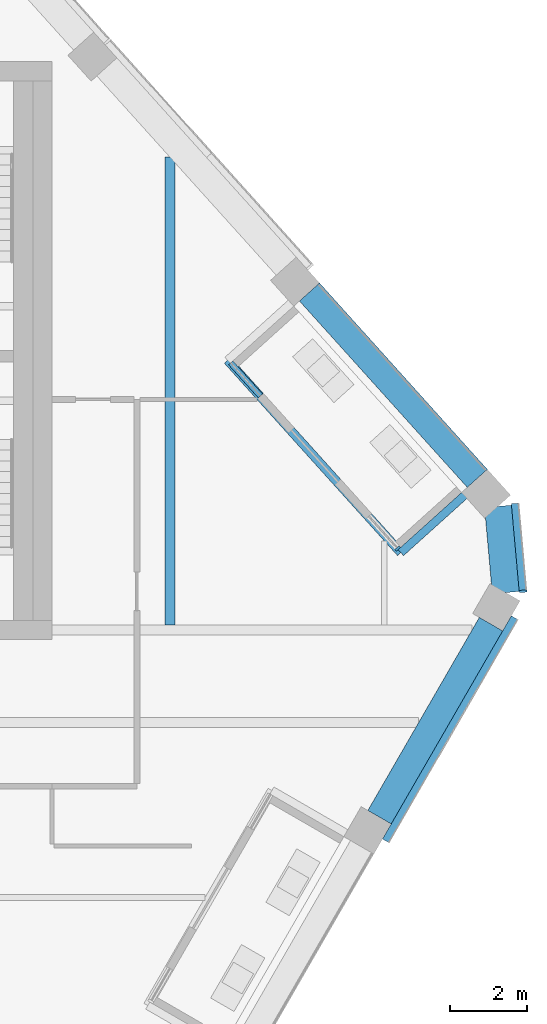
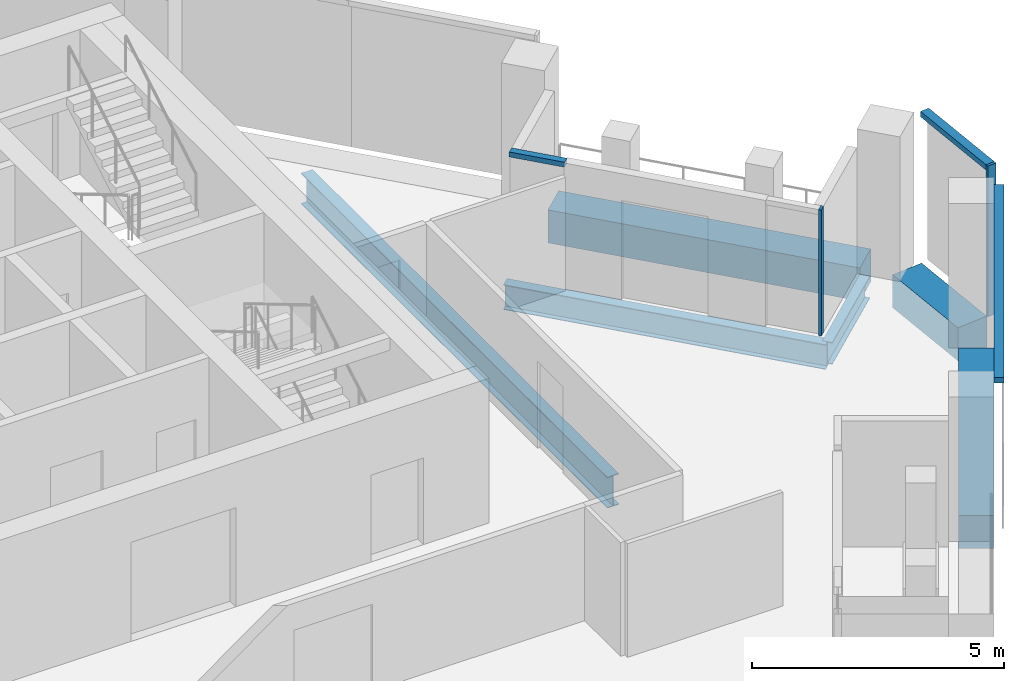
# One storey, part 6 of 20: 6 beams, 5 members, 3 elements without a shape of their own.
"""IFC4 building model written with IfcOpenShell, lengths in metres."""

from ifc_helpers import new_model, si_unit, direction, frame, origin, origin_2d, place, context, subcontext, project, spatial, rectangle, i_section, extrude, material, layer, layer_set, material_profile, profile_set, type_object, element, aggregate, save


model = new_model("IFC4")

# Units and contexts
model_context = context("Model", 3, precision=1e-05, world=origin(), true_north=direction((0.0, 1.0)))
body_context = subcontext(model_context, "Body", "Model", "MODEL_VIEW")
ifc_project = project(units=[si_unit("LENGTHUNIT", "METRE"), si_unit("AREAUNIT", "SQUARE_METRE"), si_unit("VOLUMEUNIT", "CUBIC_METRE"), si_unit("PLANEANGLEUNIT", "RADIAN"), si_unit("MASSUNIT", "GRAM", prefix="KILO")], contexts=[model_context])

# Site, building, storey
site_placement = place(None, origin())
site = spatial("IfcSite", under=ifc_project, at=site_placement, CompositionType="ELEMENT")
building_placement = place(site_placement, origin())
building = spatial("IfcBuilding", under=site, at=building_placement, Name="Isthmus Gate Tower", CompositionType="ELEMENT")
storey_placement = place(building_placement, frame((0.0, 0.0, 279.199951171875)))
storey = spatial("IfcBuildingStorey", under=building, at=storey_placement, Name="L71", CompositionType="ELEMENT", Elevation=279.199951171875)

# Curtain wall, member
ifc_material_1 = material(Name="Aluminium, pale champagne anodised", Category="aluminium")
ifc_layer_1 = layer(ifc_material_1, 0.199951171875)
ifc_layer_set_1 = layer_set([ifc_layer_1], Name="CW-1 UNITISED CURTAIN WALL 200 DEEP")
curtain_wall_type_1 = type_object("IfcCurtainWallType", Name="CW-1 UNITISED CURTAIN WALL 200 DEEP", PredefinedType="NOTDEFINED", material=ifc_layer_set_1)
curtain_wall_1_placement = place(storey_placement, origin())
curtain_wall_1 = element("IfcCurtainWall", 1, at=curtain_wall_1_placement, inside=storey, type_object=curtain_wall_type_1, Name="CW-1 SE-NE L71", PredefinedType="NOTDEFINED")
ifc_material_2 = material(Name="Aluminium, pale champagne anodised", Category="aluminium")
ifc_material_profile_1 = material_profile(ifc_material_2, rectangle(XDim=0.06005859375, YDim=0.199951171875, at=origin_2d()), Name="60x200")
ifc_profile_set_1 = profile_set([ifc_material_profile_1], Name="Aluminium, pale champagne anodised")
member_type_1 = type_object("IfcMemberType", Name="CW-1 MULLION 60 X 200", PredefinedType="MULLION", material=ifc_profile_set_1)
member_1_placement = place(storey_placement, frame((27.21875, 1.258056640625, 0.0), z_axis=(0.0, 0.0, 1.0), x_axis=(-0.089396669717, 0.995996102123, 0.0)))
member_1 = element("IfcMember", 2, at=member_1_placement, type_object=member_type_1, Name="CW-1 mullion", PredefinedType="MULLION", context=body_context, shape_type="SweptSolid", body=[
    extrude(rectangle(XDim=0.06005859375, YDim=0.199951171875, at=origin_2d()), origin(), (0.0, 0.0, 1.0), 3.650146484375),
])

curtain_wall_2_placement = place(storey_placement, origin())
curtain_wall_2 = element("IfcCurtainWall", 3, at=curtain_wall_2_placement, inside=storey, type_object=curtain_wall_type_1, Name="CW-1 SE L71", PredefinedType="NOTDEFINED")
ifc_material_3 = material(Name="Aluminium, pale champagne anodised", Category="aluminium")
ifc_material_profile_2 = material_profile(ifc_material_3, rectangle(XDim=0.199951171875, YDim=0.1298828125, at=origin_2d()), Name="200x130")
ifc_profile_set_2 = profile_set([ifc_material_profile_2], Name="Aluminium, pale champagne anodised")
member_type_2 = type_object("IfcMemberType", Name="CW-1 TRANSOM 200 X 130", PredefinedType="USERDEFINED", material=ifc_profile_set_2)
member_2_placement = place(storey_placement, frame((23.659912109375, -5.2197265625, 3.5849609375), z_axis=(0.499996450449, 0.866027453109, 0.0), x_axis=(-0.866027453109, 0.499996450449, 0.0)))
member_2 = element("IfcMember", 4, at=member_2_placement, type_object=member_type_2, Name="CW-1 transom", ObjectType="TRANSOM", PredefinedType="USERDEFINED", context=body_context, shape_type="SweptSolid", body=[
    extrude(rectangle(XDim=0.199951171875, YDim=0.1298828125, at=origin_2d()), origin(), (0.0, 0.0, 1.0), 6.6845703125),
])
aggregate(curtain_wall_2, [member_2])

# Member
member_3_placement = place(storey_placement, frame((27.216064453125, 1.287841796875, 3.5849609375), z_axis=(-0.089395362867, 0.995996219419, 0.0), x_axis=(-0.995996219419, -0.089395362867, 0.0)))
member_3 = element("IfcMember", 5, at=member_3_placement, type_object=member_type_2, Name="CW-1 transom", ObjectType="TRANSOM", PredefinedType="USERDEFINED", context=body_context, shape_type="SweptSolid", body=[
    extrude(rectangle(XDim=0.199951171875, YDim=0.1298828125, at=origin_2d()), origin(), (0.0, 0.0, 1.0), 2.258544921875),
])

aggregate(curtain_wall_1, [member_1, member_3])

# Curtain wall, members
ifc_material_4 = material(Name="Aluminium, pale champagne anodised", Category="aluminium")
ifc_layer_2 = layer(ifc_material_4, 0.14990234375)
ifc_layer_set_2 = layer_set([ifc_layer_2], Name="CW-6 LOGGIA BACK WALL GLAZING 150 DEEP")
curtain_wall_type_2 = type_object("IfcCurtainWallType", Name="CW-6 LOGGIA BACK WALL GLAZING 150 DEEP", PredefinedType="NOTDEFINED", material=ifc_layer_set_2)
curtain_wall_3_placement = place(storey_placement, origin())
curtain_wall_3 = element("IfcCurtainWall", 6, at=curtain_wall_3_placement, inside=storey, type_object=curtain_wall_type_2, Name="CW-6 NE L71", PredefinedType="NOTDEFINED")
ifc_material_5 = material(Name="Aluminium, pale champagne anodised", Category="aluminium")
ifc_material_profile_3 = material_profile(ifc_material_5, rectangle(XDim=0.06005859375, YDim=0.14990234375, at=origin_2d()), Name="60x150")
ifc_profile_set_3 = profile_set([ifc_material_profile_3], Name="Aluminium, pale champagne anodised")
member_type_3 = type_object("IfcMemberType", Name="CW-6 MULLION 60 X 150", PredefinedType="MULLION", material=ifc_profile_set_3)
member_4_placement = place(storey_placement, frame((23.96826171875, 2.369384765625, 0.0), z_axis=(0.0, 0.0, 1.0), x_axis=(-0.669130606359, 0.743144825477, 0.0)))
member_4 = element("IfcMember", 7, at=member_4_placement, type_object=member_type_3, Name="CW-6 mullion", PredefinedType="MULLION", context=body_context, shape_type="SweptSolid", body=[
    extrude(rectangle(XDim=0.06005859375, YDim=0.14990234375, at=origin_2d()), origin(), (0.0, 0.0, 1.0), 3.050048828125),
])
ifc_material_6 = material(Name="Aluminium, pale champagne anodised", Category="aluminium")
ifc_material_profile_4 = material_profile(ifc_material_6, rectangle(XDim=0.14990234375, YDim=0.1201171875, at=origin_2d()), Name="150x120")
ifc_profile_set_4 = profile_set([ifc_material_profile_4], Name="Aluminium, pale champagne anodised")
member_type_4 = type_object("IfcMemberType", Name="CW-6 TRANSOM 150 X 120", PredefinedType="USERDEFINED", material=ifc_profile_set_4)
member_5_placement = place(storey_placement, frame((20.40625, 6.325439453125, 2.989990234375), z_axis=(-0.669093361694, 0.743178359034, 0.0), x_axis=(-0.743178359034, -0.669093361694, 0.0)))
member_5 = element("IfcMember", 8, at=member_5_placement, type_object=member_type_4, Name="CW-6 transom", ObjectType="TRANSOM", PredefinedType="USERDEFINED", context=body_context, shape_type="SweptSolid", body=[
    extrude(rectangle(XDim=0.14990234375, YDim=0.1201171875, at=origin_2d()), origin(), (0.0, 0.0, 1.0), 1.1533203125),
])
aggregate(curtain_wall_3, [member_4, member_5])

# Beams
ifc_material_7 = material(Name="Concrete f'c 50 MPa", Category="concrete")
ifc_material_profile_5 = material_profile(ifc_material_7, rectangle(XDim=0.699951171875, YDim=0.800048828125, at=origin_2d()), Name="RC 700X800")
ifc_profile_set_5 = profile_set([ifc_material_profile_5], Name="Concrete f'c 50 MPa")
beam_type_1 = type_object("IfcBeamType", Name="RC SPANDREL 700 X 800", PredefinedType="SPANDREL", material=ifc_profile_set_5)
beam_1_placement = place(storey_placement, frame((21.67822265625, 9.022705078125, -0.39990234375), z_axis=(0.669122265754, -0.743152335307, 0.0), x_axis=(0.743152335307, 0.669122265754, 0.0)))
element("IfcBeam", 9, at=beam_1_placement, inside=storey, type_object=beam_type_1, Name="str-spandrel-L71-03", PredefinedType="SPANDREL", context=body_context, shape_type="SweptSolid", body=[
    extrude(rectangle(XDim=0.699951171875, YDim=0.800048828125, at=origin_2d()), origin(), (0.0, 0.0, 1.0), 6.506591796875),
])
beam_2_placement = place(storey_placement, frame((26.5693359375, 3.459716796875, -0.39990234375), z_axis=(0.089359478208, -0.995999439585, 0.0), x_axis=(0.995999439585, 0.089359478208, 0.0)))
element("IfcBeam", 10, at=beam_2_placement, inside=storey, type_object=beam_type_1, Name="str-spandrel-L71-04", PredefinedType="SPANDREL", context=body_context, shape_type="SweptSolid", body=[
    extrude(rectangle(XDim=0.699951171875, YDim=0.800048828125, at=origin_2d()), origin(), (0.0, 0.0, 1.0), 2.245849609375),
])
beam_3_placement = place(storey_placement, frame((26.387451171875, 0.404541015625, -0.39990234375), z_axis=(-0.499979418648, -0.866037286108, 0.0), x_axis=(0.866037286108, -0.499979418648, 0.0)))
element("IfcBeam", 11, at=beam_3_placement, inside=storey, type_object=beam_type_1, Name="str-spandrel-L71-05", PredefinedType="SPANDREL", context=body_context, shape_type="SweptSolid", body=[
    extrude(rectangle(XDim=0.699951171875, YDim=0.800048828125, at=origin_2d()), origin(), (0.0, 0.0, 1.0), 5.784423828125),
])
ifc_material_8 = material(Name="Structural steel ASTM A992 Gr 50", Category="steel")
ifc_material_profile_6 = material_profile(ifc_material_8, i_section(OverallWidth=0.263427734375, OverallDepth=0.749267578125, WebThickness=0.0126953125, FlangeThickness=0.015869140625, at=origin_2d()), Name="W30X90")
ifc_profile_set_6 = profile_set([ifc_material_profile_6], Name="Structural steel ASTM A992 Gr 50")
beam_type_2 = type_object("IfcBeamType", Name="STEEL FLOOR BEAM W30X90", PredefinedType="JOIST", material=ifc_profile_set_6)
beam_4_placement = place(storey_placement, frame((18.05712890625, 0.376953125, -0.524658203125), z_axis=(0.0, 1.0, 0.0), x_axis=(-1.0, 0.0, 0.0)))
element("IfcBeam", 12, at=beam_4_placement, inside=storey, type_object=beam_type_2, Name="str-beam-L71-11-06", PredefinedType="JOIST", context=body_context, shape_type="SweptSolid", body=[
    extrude(i_section(OverallWidth=0.263427734375, OverallDepth=0.749267578125, WebThickness=0.0126953125, FlangeThickness=0.015869140625, at=origin_2d()), origin(), (0.0, 0.0, 1.0), 12.144287109375),
])
ifc_material_9 = material(Name="Structural steel ASTM A992 Gr 50", Category="steel")
ifc_material_profile_7 = material_profile(ifc_material_9, i_section(OverallWidth=0.20947265625, OverallDepth=0.533447265625, WebThickness=0.009521484375, FlangeThickness=0.015869140625, at=origin_2d()), Name="W21X62")
ifc_profile_set_7 = profile_set([ifc_material_profile_7], Name="Structural steel ASTM A992 Gr 50")
beam_type_3 = type_object("IfcBeamType", Name="STEEL TRIMMER W21X62", PredefinedType="BEAM", material=ifc_profile_set_7)
beam_5_placement = place(storey_placement, frame((25.842041015625, 3.875244140625, -0.416748046875), z_axis=(-0.743148311246, -0.669126735, 0.0), x_axis=(0.669126735, -0.743148311246, 0.0)))
element("IfcBeam", 13, at=beam_5_placement, inside=storey, type_object=beam_type_3, Name="str-loggiatrim-L71-05-A", PredefinedType="BEAM", context=body_context, shape_type="SweptSolid", body=[
    extrude(i_section(OverallWidth=0.20947265625, OverallDepth=0.533447265625, WebThickness=0.009521484375, FlangeThickness=0.015869140625, at=origin_2d()), origin(), (0.0, 0.0, 1.0), 2.414306640625),
])
ifc_material_10 = material(Name="Structural steel ASTM A992 Gr 50", Category="steel")
ifc_material_profile_8 = material_profile(ifc_material_10, i_section(OverallWidth=0.228515625, OverallDepth=0.603271484375, WebThickness=0.010986328125, FlangeThickness=0.014404296875, at=origin_2d()), Name="W24X68")
ifc_profile_set_8 = profile_set([ifc_material_profile_8], Name="Structural steel ASTM A992 Gr 50")
beam_type_4 = type_object("IfcBeamType", Name="STEEL TRIMMER W24X68", PredefinedType="BEAM", material=ifc_profile_set_8)
beam_6_placement = place(storey_placement, frame((24.0478515625, 2.259765625, -0.45166015625), z_axis=(-0.669133411184, 0.743142299992, 0.0), x_axis=(-0.743142299992, -0.669133411184, 0.0)))
element("IfcBeam", 14, at=beam_6_placement, inside=storey, type_object=beam_type_4, Name="str-loggiatrim-L71-05-B", PredefinedType="BEAM", context=body_context, shape_type="SweptSolid", body=[
    extrude(i_section(OverallWidth=0.228515625, OverallDepth=0.603271484375, WebThickness=0.010986328125, FlangeThickness=0.014404296875, at=origin_2d()), origin(), (0.0, 0.0, 1.0), 6.71630859375),
])

save(model, "model.ifc")
